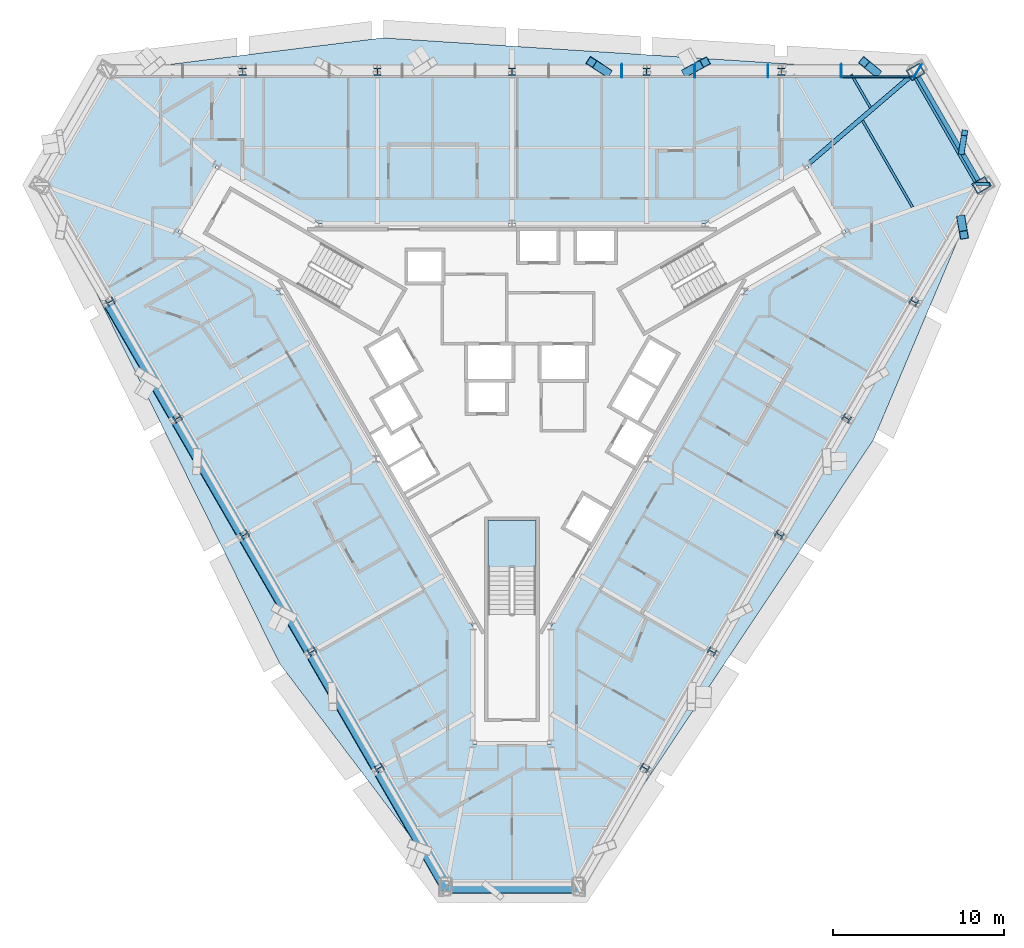
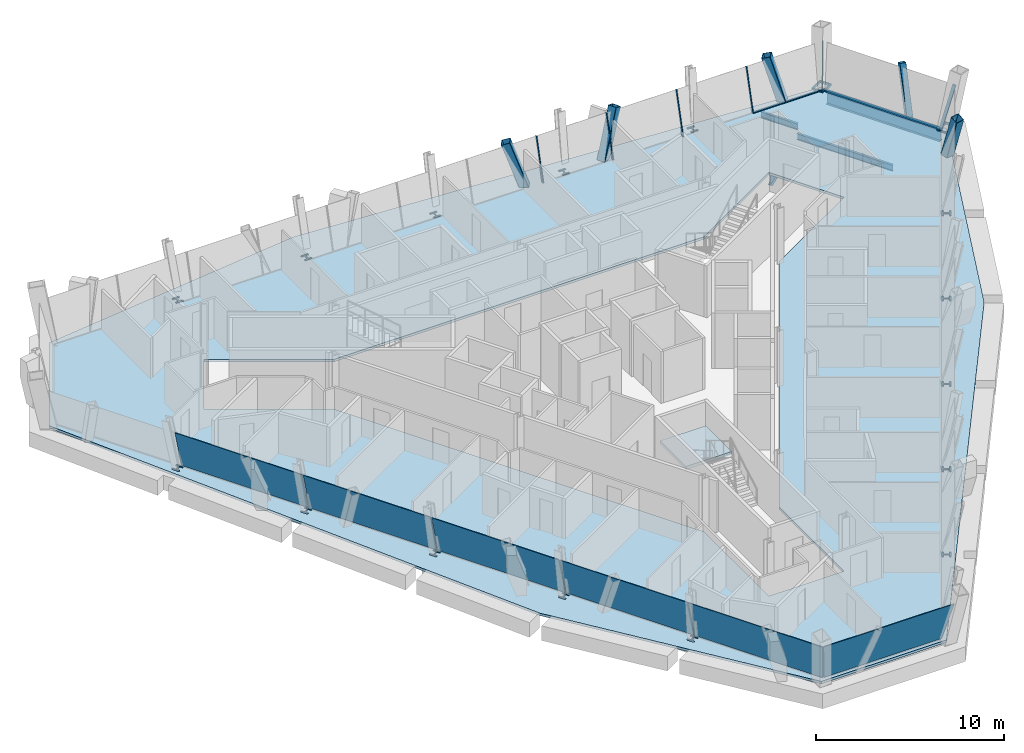
# One storey, part 5 of 13: 30 members, 6 plates, 4 beams, 2 slabs, 5 elements without a shape of their own.
"""IFC4 building model written with IfcOpenShell, lengths in metres."""

from ifc_helpers import new_model, si_unit, direction, frame, origin, origin_2d, place, context, subcontext, project, spatial, polyline, rectangle, hollow_rectangle, i_section, outline, extrude, material, layer, layer_set, material_profile, profile_set, type_object, element, aggregate, save


model = new_model("IFC4")

# Units and contexts
model_context = context("Model", 3, precision=1e-05, world=origin(), true_north=direction((0.0, 1.0)))
body_context = subcontext(model_context, "Body", "Model", "MODEL_VIEW")
ifc_project = project(units=[si_unit("LENGTHUNIT", "METRE"), si_unit("AREAUNIT", "SQUARE_METRE"), si_unit("VOLUMEUNIT", "CUBIC_METRE"), si_unit("PLANEANGLEUNIT", "RADIAN"), si_unit("MASSUNIT", "GRAM", prefix="KILO")], contexts=[model_context])

# Site, building, storey
site_placement = place(None, origin())
site = spatial("IfcSite", under=ifc_project, at=site_placement, CompositionType="ELEMENT")
building_placement = place(site_placement, origin())
building = spatial("IfcBuilding", under=site, at=building_placement, Name="Verrane Prism Tower", CompositionType="ELEMENT")
storey_placement = place(building_placement, frame((0.0, 0.0, 100.0)))
storey = spatial("IfcBuildingStorey", under=building, at=storey_placement, Name="L23", CompositionType="ELEMENT", Elevation=100.0)

# Member
ifc_material_1 = material(Name="Steel A500 Grade C", Category="steel")
ifc_material_profile_1 = material_profile(ifc_material_1, hollow_rectangle(XDim=0.355712890625, YDim=0.355712890625, WallThickness=0.0126953125, InnerFilletRadius=0.00634765625, OuterFilletRadius=0.01904296875, at=origin_2d()), Name="HSS14x14x1/2")
ifc_profile_set_1 = profile_set([ifc_material_profile_1], Name="Steel A500 Grade C")
member_type_1 = type_object("IfcMemberType", Name="Chamfer brace HSS14x14x1/2", PredefinedType="BRACE", material=ifc_profile_set_1)
member_1_placement = place(storey_placement, frame((26.35986328125, 13.42138671875, -0.2451171875), z_axis=(0.054955055745, 0.34337382265, 0.937589654255), x_axis=(-0.987433792109, 0.158033243976, 0.0)))
element("IfcMember", 1, at=member_1_placement, inside=storey, type_object=member_type_1, Name="Chamfer brace NE0 L23", PredefinedType="BRACE", context=body_context, shape_type="SweptSolid", body=[
    extrude(hollow_rectangle(XDim=0.355712890625, YDim=0.355712890625, WallThickness=0.0126953125, InnerFilletRadius=0.00634765625, OuterFilletRadius=0.01904296875, at=origin_2d()), origin(), (0.0, 0.0, 1.0), 3.203125),
])

# Beams
ifc_material_2 = material(Name="Steel A992", Category="steel")
ifc_material_profile_2 = material_profile(ifc_material_2, i_section(OverallWidth=0.2666015625, OverallDepth=0.76708984375, WebThickness=0.014892578125, FlangeThickness=0.023681640625, FilletRadius=0.0166015625, at=origin_2d()), Name="W30x124")
ifc_profile_set_2 = profile_set([ifc_material_profile_2], Name="Steel A992")
beam_type_1 = type_object("IfcBeamType", Name="Chamfer spandrel beam W30x124", PredefinedType="SPANDREL", material=ifc_profile_set_2)
beam_1_placement = place(storey_placement, frame((27.32470703125, 11.7529296875, -0.54345703125), z_axis=(-0.500609590055, 0.865673170628, 0.0), x_axis=(-0.865673170628, -0.500609590055, 0.0)))
element("IfcBeam", 2, at=beam_1_placement, inside=storey, type_object=beam_type_1, Name="Chamfer spandrel beam L23", PredefinedType="SPANDREL", context=body_context, shape_type="SweptSolid", body=[
    extrude(i_section(OverallWidth=0.2666015625, OverallDepth=0.76708984375, WebThickness=0.014892578125, FlangeThickness=0.023681640625, FilletRadius=0.0166015625, at=origin_2d()), origin(), (0.0, 0.0, 1.0), 6.970458984375),
])
ifc_material_3 = material(Name="Steel A992", Category="steel")
ifc_material_profile_3 = material_profile(ifc_material_3, i_section(OverallWidth=0.2666015625, OverallDepth=0.76708984375, WebThickness=0.014892578125, FlangeThickness=0.023681640625, FilletRadius=0.0166015625, at=origin_2d()), Name="W30x124")
ifc_profile_set_3 = profile_set([ifc_material_profile_3], Name="Steel A992")
beam_type_2 = type_object("IfcBeamType", Name="Corner girder W30x124", PredefinedType="BEAM", material=ifc_profile_set_3)
beam_2_placement = place(storey_placement, frame((23.3125, 17.7919921875, -0.603515625), z_axis=(-0.759350631669, -0.65068165656, 0.0), x_axis=(0.65068165656, -0.759350631669, 0.0)))
element("IfcBeam", 3, at=beam_2_placement, inside=storey, type_object=beam_type_2, Name="Corner girder L23", PredefinedType="BEAM", context=body_context, shape_type="SweptSolid", body=[
    extrude(i_section(OverallWidth=0.2666015625, OverallDepth=0.76708984375, WebThickness=0.014892578125, FlangeThickness=0.023681640625, FilletRadius=0.0166015625, at=origin_2d()), origin(), (0.0, 0.0, 1.0), 7.697021484375),
])

# Members
ifc_material_4 = material(Name="Steel A1085 Grade A", Category="steel")
ifc_material_profile_4 = material_profile(ifc_material_4, hollow_rectangle(XDim=0.508056640625, YDim=0.508056640625, WallThickness=0.025390625, InnerFilletRadius=0.0126953125, OuterFilletRadius=0.0380859375, at=origin_2d()), Name="HSS20x20x1")
ifc_profile_set_4 = profile_set([ifc_material_profile_4], Name="Steel A1085 Grade A")
member_type_2 = type_object("IfcMemberType", Name="Facade brace HSS20x20x1", PredefinedType="BRACE", material=ifc_profile_set_4)
member_2_placement = place(storey_placement, frame((21.339599609375, 18.090087890625, -0.24267578125), z_axis=(-0.22293136948, 0.18494759259, 0.957129036493), x_axis=(-0.638494749561, -0.769626178598, 0.0)))
element("IfcMember", 4, at=member_2_placement, inside=storey, type_object=member_type_2, Name="Facade brace N0 L23", PredefinedType="BRACE", context=body_context, shape_type="SweptSolid", body=[
    extrude(hollow_rectangle(XDim=0.508056640625, YDim=0.508056640625, WallThickness=0.025390625, InnerFilletRadius=0.0126953125, OuterFilletRadius=0.0380859375, at=origin_2d()), origin(), (0.0, 0.0, 1.0), 3.14306640625),
])
member_3_placement = place(storey_placement, frame((10.24951171875, 18.090087890625, -0.24267578125), z_axis=(0.329916361987, 0.179099602802, 0.926864891108), x_axis=(-0.477096284825, 0.87885103118, 0.0)))
element("IfcMember", 5, at=member_3_placement, inside=storey, type_object=member_type_2, Name="Facade brace N1 L23", PredefinedType="BRACE", context=body_context, shape_type="SweptSolid", body=[
    extrude(hollow_rectangle(XDim=0.508056640625, YDim=0.508056640625, WallThickness=0.025390625, InnerFilletRadius=0.0126953125, OuterFilletRadius=0.0380859375, at=origin_2d()), origin(), (0.0, 0.0, 1.0), 3.24560546875),
])
member_4_placement = place(storey_placement, frame((5.548095703125, 18.090087890625, -0.24267578125), z_axis=(-0.278984551116, 0.182189307791, 0.942854536164), x_axis=(-0.546779044707, -0.837276941202, 0.0)))
element("IfcMember", 6, at=member_4_placement, inside=storey, type_object=member_type_2, Name="Facade brace N2 L23", PredefinedType="BRACE", context=body_context, shape_type="SweptSolid", body=[
    extrude(hollow_rectangle(XDim=0.508056640625, YDim=0.508056640625, WallThickness=0.025390625, InnerFilletRadius=0.0126953125, OuterFilletRadius=0.0380859375, at=origin_2d()), origin(), (0.0, 0.0, 1.0), 3.190673828125),
])
member_5_placement = place(storey_placement, frame((26.3369140625, 9.43896484375, -0.24267578125), z_axis=(0.049625250197, -0.286024720616, 0.956936358249), x_axis=(0.985280396607, 0.170946015051, 0.0)))
element("IfcMember", 7, at=member_5_placement, inside=storey, type_object=member_type_2, Name="Facade brace SE5 L23", PredefinedType="BRACE", context=body_context, shape_type="SweptSolid", body=[
    extrude(hollow_rectangle(XDim=0.508056640625, YDim=0.508056640625, WallThickness=0.025390625, InnerFilletRadius=0.0126953125, OuterFilletRadius=0.0380859375, at=origin_2d()), origin(), (0.0, 0.0, 1.0), 3.143798828125),
])

# Beams
ifc_material_5 = material(Name="Steel A992", Category="steel")
ifc_material_profile_5 = material_profile(ifc_material_5, i_section(OverallWidth=0.140380859375, OverallDepth=0.40380859375, WebThickness=0.007080078125, FlangeThickness=0.01123046875, FilletRadius=0.01025390625, at=origin_2d()), Name="W16x31")
ifc_profile_set_5 = profile_set([ifc_material_profile_5], Name="Steel A992")
beam_type_3 = type_object("IfcBeamType", Name="Floor beam W16x31", PredefinedType="BEAM", material=ifc_profile_set_5)
beam_3_placement = place(storey_placement, frame((21.019775390625, 16.00341796875, -0.36181640625), z_axis=(-0.500016062875, 0.866016129681, 0.0), x_axis=(-0.866016129681, -0.500016062875, 0.0)))
element("IfcBeam", 8, at=beam_3_placement, inside=storey, type_object=beam_type_3, Name="Floor beam L23", PredefinedType="BEAM", context=body_context, shape_type="SweptSolid", body=[
    extrude(i_section(OverallWidth=0.140380859375, OverallDepth=0.40380859375, WebThickness=0.007080078125, FlangeThickness=0.01123046875, FilletRadius=0.01025390625, at=origin_2d()), origin(), (0.0, 0.0, 1.0), 2.25537109375),
])
beam_4_placement = place(storey_placement, frame((23.481201171875, 10.17236328125, -0.36181640625), z_axis=(-0.500000035988, 0.866025383007, 0.0), x_axis=(-0.866025383007, -0.500000035988, 0.0)))
element("IfcBeam", 9, at=beam_4_placement, inside=storey, type_object=beam_type_3, Name="Floor beam L23", PredefinedType="BEAM", context=body_context, shape_type="SweptSolid", body=[
    extrude(i_section(OverallWidth=0.140380859375, OverallDepth=0.40380859375, WebThickness=0.007080078125, FlangeThickness=0.01123046875, FilletRadius=0.01025390625, at=origin_2d()), origin(), (0.0, 0.0, 1.0), 5.8623046875),
])

# Members
ifc_material_6 = material(Name="Steel A572 Grade 50", Category="steel")
ifc_material_profile_6 = material_profile(ifc_material_6, hollow_rectangle(XDim=0.699951171875, YDim=0.89990234375, WallThickness=0.06494140625, at=origin_2d()), Name="BOX 900x700x65")
ifc_profile_set_6 = profile_set([ifc_material_profile_6], Name="Steel A572 Grade 50")
member_type_3 = type_object("IfcMemberType", Name="Kink node BOX 900x700x65", PredefinedType="COLLAR", material=ifc_profile_set_6)
for number, where, z_axis, x_axis, name in (
    (10, (27.50830078125, 11.449951171875, -0.074951171875), (0.0, 0.0, 1.0), (0.5, -0.866025403784, 0.0), "Kink node MC3 L23"),
    (11, (23.664306640625, 18.097412109375, -0.074951171875), (0.0, 0.0, 1.0), (0.5, -0.866025403784, 0.0), "Kink node MC3 L23"),
):
    element("IfcMember", number, at=place(storey_placement, frame(where, z_axis=z_axis, x_axis=x_axis)), inside=storey, type_object=member_type_3, Name=name, PredefinedType="COLLAR", context=body_context, shape_type="SweptSolid", body=[
        extrude(hollow_rectangle(XDim=0.699951171875, YDim=0.89990234375, WallThickness=0.06494140625, at=origin_2d()), origin(), (0.0, 0.0, 1.0), 0.14990234375),
    ])
ifc_material_7 = material(Name="Steel A992", Category="steel")
ifc_material_profile_7 = material_profile(ifc_material_7, i_section(OverallWidth=0.424072265625, OverallDepth=0.47509765625, WebThickness=0.0478515625, FlangeThickness=0.0771484375, FilletRadius=0.014892578125, at=origin_2d()), Name="W14x426")
ifc_profile_set_7 = profile_set([ifc_material_profile_7], Name="Steel A992")
member_type_4 = type_object("IfcMemberType", Name="Kink node W14x426", PredefinedType="COLLAR", material=ifc_profile_set_7)
member_6_placement = place(storey_placement, frame((15.781494140625, 18.09423828125, -0.044921875), z_axis=(0.0, 0.0, 1.0), x_axis=(1.0, 0.0, 0.0)))
element("IfcMember", 12, at=member_6_placement, inside=storey, type_object=member_type_4, Name="Kink node PC4 L23", PredefinedType="COLLAR", context=body_context, shape_type="SweptSolid", body=[
    extrude(i_section(OverallWidth=0.424072265625, OverallDepth=0.47509765625, WebThickness=0.0478515625, FlangeThickness=0.0771484375, FilletRadius=0.014892578125, at=origin_2d()), origin(), (0.0, 0.0, 1.0), 0.08984375),
])
member_7_placement = place(storey_placement, frame((7.890625, 18.093994140625, -0.0400390625), z_axis=(0.0, 0.0, 1.0), x_axis=(1.0, 0.0, 0.0)))
element("IfcMember", 13, at=member_7_placement, inside=storey, type_object=member_type_4, Name="Kink node PC4 L23", PredefinedType="COLLAR", context=body_context, shape_type="SweptSolid", body=[
    extrude(i_section(OverallWidth=0.424072265625, OverallDepth=0.47509765625, WebThickness=0.0478515625, FlangeThickness=0.0771484375, FilletRadius=0.014892578125, at=origin_2d()), origin(), (0.0, 0.0, 1.0), 0.080078125),
])
member_8_placement = place(storey_placement, frame((0.0, 18.093505859375, -0.034912109375), z_axis=(0.0, 0.0, 1.0), x_axis=(1.0, 0.0, 0.0)))
element("IfcMember", 14, at=member_8_placement, inside=storey, type_object=member_type_4, Name="Kink node PC4 L23", PredefinedType="COLLAR", context=body_context, shape_type="SweptSolid", body=[
    extrude(i_section(OverallWidth=0.424072265625, OverallDepth=0.47509765625, WebThickness=0.0478515625, FlangeThickness=0.0771484375, FilletRadius=0.014892578125, at=origin_2d()), origin(), (0.0, 0.0, 1.0), 0.06982421875),
])
member_9_placement = place(storey_placement, frame((-7.890625, 18.093994140625, -0.0400390625), z_axis=(0.0, 0.0, 1.0), x_axis=(1.0, 0.0, 0.0)))
element("IfcMember", 15, at=member_9_placement, inside=storey, type_object=member_type_4, Name="Kink node PC4 L23", PredefinedType="COLLAR", context=body_context, shape_type="SweptSolid", body=[
    extrude(i_section(OverallWidth=0.424072265625, OverallDepth=0.47509765625, WebThickness=0.0478515625, FlangeThickness=0.0771484375, FilletRadius=0.014892578125, at=origin_2d()), origin(), (0.0, 0.0, 1.0), 0.080078125),
])
for number, where, z_axis, x_axis, name in (
    (16, (-15.781494140625, 18.09423828125, -0.044921875), (0.0, 0.0, 1.0), (1.0, 0.0, 0.0), "Kink node PC4 L23"),
    (17, (7.782958984375, -22.713623046875, -0.044921875), (0.0, 0.0, 1.0), (-0.5, -0.866025403784, 0.0), "Kink node PC4 L23"),
):
    element("IfcMember", number, at=place(storey_placement, frame(where, z_axis=z_axis, x_axis=x_axis)), inside=storey, type_object=member_type_4, Name=name, PredefinedType="COLLAR", context=body_context, shape_type="SweptSolid", body=[
        extrude(i_section(OverallWidth=0.424072265625, OverallDepth=0.47509765625, WebThickness=0.0478515625, FlangeThickness=0.0771484375, FilletRadius=0.014892578125, at=origin_2d()), origin(), (0.0, 0.0, 1.0), 0.08984375),
    ])
member_10_placement = place(storey_placement, frame((11.722900390625, -15.882568359375, -0.0400390625), z_axis=(0.0, 0.0, 1.0), x_axis=(-0.5, -0.866025403784, 0.0)))
element("IfcMember", 18, at=member_10_placement, inside=storey, type_object=member_type_4, Name="Kink node PC4 L23", PredefinedType="COLLAR", context=body_context, shape_type="SweptSolid", body=[
    extrude(i_section(OverallWidth=0.424072265625, OverallDepth=0.47509765625, WebThickness=0.0478515625, FlangeThickness=0.0771484375, FilletRadius=0.014892578125, at=origin_2d()), origin(), (0.0, 0.0, 1.0), 0.080078125),
])
member_11_placement = place(storey_placement, frame((15.6728515625, -9.041748046875, -0.034912109375), z_axis=(0.0, 0.0, 1.0), x_axis=(-0.5, -0.866025403784, 0.0)))
element("IfcMember", 19, at=member_11_placement, inside=storey, type_object=member_type_4, Name="Kink node PC4 L23", PredefinedType="COLLAR", context=body_context, shape_type="SweptSolid", body=[
    extrude(i_section(OverallWidth=0.424072265625, OverallDepth=0.47509765625, WebThickness=0.0478515625, FlangeThickness=0.0771484375, FilletRadius=0.014892578125, at=origin_2d()), origin(), (0.0, 0.0, 1.0), 0.06982421875),
])
member_12_placement = place(storey_placement, frame((19.61376953125, -2.211181640625, -0.0400390625), z_axis=(0.0, 0.0, 1.0), x_axis=(-0.5, -0.866025403784, 0.0)))
element("IfcMember", 20, at=member_12_placement, inside=storey, type_object=member_type_4, Name="Kink node PC4 L23", PredefinedType="COLLAR", context=body_context, shape_type="SweptSolid", body=[
    extrude(i_section(OverallWidth=0.424072265625, OverallDepth=0.47509765625, WebThickness=0.0478515625, FlangeThickness=0.0771484375, FilletRadius=0.014892578125, at=origin_2d()), origin(), (0.0, 0.0, 1.0), 0.080078125),
])
for number, where, z_axis, x_axis, name in (
    (21, (23.5546875, 4.619384765625, -0.044921875), (0.0, 0.0, 1.0), (-0.5, -0.866025403784, 0.0), "Kink node PC4 L23"),
    (22, (-23.5546875, 4.619384765625, -0.044921875), (0.0, 0.0, 1.0), (-0.5, 0.866025403784, 0.0), "Kink node PC4 L23"),
):
    element("IfcMember", number, at=place(storey_placement, frame(where, z_axis=z_axis, x_axis=x_axis)), inside=storey, type_object=member_type_4, Name=name, PredefinedType="COLLAR", context=body_context, shape_type="SweptSolid", body=[
        extrude(i_section(OverallWidth=0.424072265625, OverallDepth=0.47509765625, WebThickness=0.0478515625, FlangeThickness=0.0771484375, FilletRadius=0.014892578125, at=origin_2d()), origin(), (0.0, 0.0, 1.0), 0.08984375),
    ])
member_13_placement = place(storey_placement, frame((-19.61376953125, -2.211181640625, -0.0400390625), z_axis=(0.0, 0.0, 1.0), x_axis=(-0.5, 0.866025403784, 0.0)))
element("IfcMember", 23, at=member_13_placement, inside=storey, type_object=member_type_4, Name="Kink node PC4 L23", PredefinedType="COLLAR", context=body_context, shape_type="SweptSolid", body=[
    extrude(i_section(OverallWidth=0.424072265625, OverallDepth=0.47509765625, WebThickness=0.0478515625, FlangeThickness=0.0771484375, FilletRadius=0.014892578125, at=origin_2d()), origin(), (0.0, 0.0, 1.0), 0.080078125),
])
member_14_placement = place(storey_placement, frame((-15.6728515625, -9.041748046875, -0.034912109375), z_axis=(0.0, 0.0, 1.0), x_axis=(-0.5, 0.866025403784, 0.0)))
element("IfcMember", 24, at=member_14_placement, inside=storey, type_object=member_type_4, Name="Kink node PC4 L23", PredefinedType="COLLAR", context=body_context, shape_type="SweptSolid", body=[
    extrude(i_section(OverallWidth=0.424072265625, OverallDepth=0.47509765625, WebThickness=0.0478515625, FlangeThickness=0.0771484375, FilletRadius=0.014892578125, at=origin_2d()), origin(), (0.0, 0.0, 1.0), 0.06982421875),
])
member_15_placement = place(storey_placement, frame((-11.722900390625, -15.882568359375, -0.0400390625), z_axis=(0.0, 0.0, 1.0), x_axis=(-0.5, 0.866025403784, 0.0)))
element("IfcMember", 25, at=member_15_placement, inside=storey, type_object=member_type_4, Name="Kink node PC4 L23", PredefinedType="COLLAR", context=body_context, shape_type="SweptSolid", body=[
    extrude(i_section(OverallWidth=0.424072265625, OverallDepth=0.47509765625, WebThickness=0.0478515625, FlangeThickness=0.0771484375, FilletRadius=0.014892578125, at=origin_2d()), origin(), (0.0, 0.0, 1.0), 0.080078125),
])
member_16_placement = place(storey_placement, frame((-7.782958984375, -22.713623046875, -0.044921875), z_axis=(0.0, 0.0, 1.0), x_axis=(-0.5, 0.866025403784, 0.0)))
element("IfcMember", 26, at=member_16_placement, inside=storey, type_object=member_type_4, Name="Kink node PC4 L23", PredefinedType="COLLAR", context=body_context, shape_type="SweptSolid", body=[
    extrude(i_section(OverallWidth=0.424072265625, OverallDepth=0.47509765625, WebThickness=0.0478515625, FlangeThickness=0.0771484375, FilletRadius=0.014892578125, at=origin_2d()), origin(), (0.0, 0.0, 1.0), 0.08984375),
])

# Curtain wall, members
ifc_material_8 = material(Name="Aluminium framed insulated glazing", Category="aluminium")
curtain_wall_type_1 = type_object("IfcCurtainWallType", Name="Curtain wall CW-C 4200 module", PredefinedType="NOTDEFINED", material=ifc_material_8)
curtain_wall_1_placement = place(storey_placement, origin())
curtain_wall_1 = element("IfcCurtainWall", 27, at=curtain_wall_1_placement, inside=storey, type_object=curtain_wall_type_1, Name="Glazed curtain wall north face L23", PredefinedType="NOTDEFINED")
ifc_material_9 = material(Name="Aluminium alloy 6063-T6", Category="aluminium")
ifc_material_profile_8 = material_profile(ifc_material_9, rectangle(XDim=0.139892578125, YDim=0.050048828125, at=origin_2d()), Name="Mullion 50x140 aluminium")
ifc_profile_set_8 = profile_set([ifc_material_profile_8], Name="Aluminium alloy 6063-T6")
member_type_5 = type_object("IfcMemberType", Name="Mullion 50x140 aluminium", PredefinedType="MULLION", material=ifc_profile_set_8)
member_17_placement = place(storey_placement, frame((23.564697265625, 17.81103515625, 0.0), z_axis=(0.156799668785, 0.255568306087, 0.953990935383), x_axis=(0.498891856341, 0.813145510022, -0.299835446883)))
member_17 = element("IfcMember", 28, at=member_17_placement, type_object=member_type_5, Name="CW21.2 mullion 1", PredefinedType="MULLION", context=body_context, shape_type="SweptSolid", body=[
    extrude(rectangle(XDim=0.139892578125, YDim=0.050048828125, at=origin_2d()), origin(), (0.0, 0.0, 1.0), 2.73876953125),
])
member_18_placement = place(storey_placement, frame((19.30078125, 17.81103515625, 0.0), z_axis=(0.0, 0.25876916976, 0.965939188967), x_axis=(0.0, 0.965939188967, -0.25876916976)))
member_18 = element("IfcMember", 29, at=member_18_placement, type_object=member_type_5, Name="CW21.2 mullion 2", PredefinedType="MULLION", context=body_context, shape_type="SweptSolid", body=[
    extrude(rectangle(XDim=0.139892578125, YDim=0.050048828125, at=origin_2d()), origin(), (0.0, 0.0, 1.0), 2.704833984375),
])
member_19_placement = place(storey_placement, frame((15.01171875, 17.81103515625, 0.0), z_axis=(0.0, 0.25876916976, 0.965939188967), x_axis=(0.0, 0.965939188967, -0.25876916976)))
member_19 = element("IfcMember", 30, at=member_19_placement, type_object=member_type_5, Name="CW21.2 mullion 3", PredefinedType="MULLION", context=body_context, shape_type="SweptSolid", body=[
    extrude(rectangle(XDim=0.139892578125, YDim=0.050048828125, at=origin_2d()), origin(), (0.0, 0.0, 1.0), 2.704833984375),
])
member_20_placement = place(storey_placement, frame((10.72265625, 17.81103515625, 0.0), z_axis=(0.0, 0.25876916976, 0.965939188967), x_axis=(0.0, 0.965939188967, -0.25876916976)))
member_20 = element("IfcMember", 31, at=member_20_placement, type_object=member_type_5, Name="CW21.2 mullion 4", PredefinedType="MULLION", context=body_context, shape_type="SweptSolid", body=[
    extrude(rectangle(XDim=0.139892578125, YDim=0.050048828125, at=origin_2d()), origin(), (0.0, 0.0, 1.0), 2.704833984375),
])
member_21_placement = place(storey_placement, frame((6.43359375, 17.81103515625, 0.0), z_axis=(0.0, 0.25876916976, 0.965939188967), x_axis=(0.0, 0.965939188967, -0.25876916976)))
member_21 = element("IfcMember", 32, at=member_21_placement, type_object=member_type_5, Name="CW21.2 mullion 5", PredefinedType="MULLION", context=body_context, shape_type="SweptSolid", body=[
    extrude(rectangle(XDim=0.139892578125, YDim=0.050048828125, at=origin_2d()), origin(), (0.0, 0.0, 1.0), 2.704833984375),
])

# Curtain wall, member
ifc_material_10 = material(Name="Aluminium framed insulated glazing", Category="aluminium")
curtain_wall_type_2 = type_object("IfcCurtainWallType", Name="Curtain wall CW-A 8400 module", PredefinedType="NOTDEFINED", material=ifc_material_10)
curtain_wall_2_placement = place(storey_placement, origin())
curtain_wall_2 = element("IfcCurtainWall", 33, at=curtain_wall_2_placement, inside=storey, type_object=curtain_wall_type_2, Name="Glazed curtain wall north-east corner L23", PredefinedType="NOTDEFINED")
ifc_material_11 = material(Name="Aluminium alloy 6063-T6", Category="aluminium")
ifc_material_profile_9 = material_profile(ifc_material_11, rectangle(XDim=0.199951171875, YDim=0.070068359375, at=origin_2d()), Name="Mullion 70x200 aluminium")
ifc_profile_set_9 = profile_set([ifc_material_profile_9], Name="Aluminium alloy 6063-T6")
member_type_6 = type_object("IfcMemberType", Name="Mullion 70x200 aluminium", PredefinedType="MULLION", material=ifc_profile_set_9)
member_22_placement = place(storey_placement, frame((27.2021484375, 11.55419921875, 0.0), z_axis=(0.30139012254, -0.01104711061, 0.953436917359), x_axis=(0.444675002966, -0.882907009081, -0.150795739503)))
member_22 = element("IfcMember", 34, at=member_22_placement, type_object=member_type_6, Name="CW21.1 mullion 1", PredefinedType="MULLION", context=body_context, shape_type="SweptSolid", body=[
    extrude(rectangle(XDim=0.199951171875, YDim=0.070068359375, at=origin_2d()), origin(), (0.0, 0.0, 1.0), 2.740478515625),
])

# Member
ifc_material_12 = material(Name="Aluminium alloy 6063-T6", Category="aluminium")
ifc_material_profile_10 = material_profile(ifc_material_12, rectangle(XDim=0.10009765625, YDim=0.050048828125, at=origin_2d()), Name="Transom 50x100 aluminium")
ifc_profile_set_10 = profile_set([ifc_material_profile_10], Name="Aluminium alloy 6063-T6")
member_type_7 = type_object("IfcMemberType", Name="Transom 50x100 aluminium", PredefinedType="USERDEFINED", material=ifc_profile_set_10)
member_23_placement = place(storey_placement, frame((23.539794921875, 17.81103515625, 0.02490234375), z_axis=(-1.0, 0.0, 0.0), x_axis=(0.0, -1.0, 0.0)))
member_23 = element("IfcMember", 35, at=member_23_placement, type_object=member_type_7, Name="CW21.2 transom 1", ObjectType="TRANSOM", PredefinedType="USERDEFINED", context=body_context, shape_type="SweptSolid", body=[
    extrude(rectangle(XDim=0.10009765625, YDim=0.050048828125, at=origin_2d()), origin(), (0.0, 0.0, 1.0), 4.214111328125),
])

aggregate(curtain_wall_1, [member_17, member_18, member_19, member_20, member_21, member_23])

ifc_material_13 = material(Name="Aluminium alloy 6063-T6", Category="aluminium")
ifc_material_profile_11 = material_profile(ifc_material_13, rectangle(XDim=0.14990234375, YDim=0.070068359375, at=origin_2d()), Name="Transom 70x150 aluminium")
ifc_profile_set_11 = profile_set([ifc_material_profile_11], Name="Aluminium alloy 6063-T6")
member_type_8 = type_object("IfcMemberType", Name="Transom 70x150 aluminium", PredefinedType="USERDEFINED", material=ifc_profile_set_11)
member_24_placement = place(storey_placement, frame((27.1845703125, 11.58447265625, 0.034912109375), z_axis=(-0.500006589238, 0.866021599452, 0.0), x_axis=(-0.866021599452, -0.500006589238, 0.0)))
member_24 = element("IfcMember", 36, at=member_24_placement, type_object=member_type_8, Name="CW21.1 transom 1", ObjectType="TRANSOM", PredefinedType="USERDEFINED", context=body_context, shape_type="SweptSolid", body=[
    extrude(rectangle(XDim=0.14990234375, YDim=0.070068359375, at=origin_2d()), origin(), (0.0, 0.0, 1.0), 7.18994140625),
])

aggregate(curtain_wall_2, [member_22, member_24])

# Slab
ifc_material_14 = material(Name="Concrete C35/45", Category="concrete")
ifc_layer_1 = layer(ifc_material_14, 0.159912109375)
ifc_layer_set_1 = layer_set([ifc_layer_1], Name="Composite floor slab")
slab_type_1 = type_object("IfcSlabType", Name="Composite floor slab", PredefinedType="FLOOR", material=ifc_layer_set_1)
slab_1_placement = place(storey_placement, frame((0.0, 0.0, -0.159912109375)))
element("IfcSlab", 37, at=slab_1_placement, inside=storey, type_object=slab_type_1, Name="Floor slab L23", PredefinedType="FLOOR", context=body_context, shape_type="SweptSolid", body=[
    extrude(outline(polyline([(21.1845703125, -3.4873046875), (3.8349609375, -29.53759765625), (-3.8349609375, -29.53759765625), (-13.6123046875, -16.6025390625), (-27.497802734375, 11.447509765625), (-23.662841796875, 18.090087890625), (-7.572021484375, 20.090087890625), (23.662841796875, 18.090087890625), (27.497802734375, 11.447509765625), (21.1845703125, -3.4873046875)]), holes=[polyline([(19.60009765625, 8.659912109375), (17.300048828125, 12.639892578125), (11.330078125, 9.199951171875), (0.0, 9.199951171875), (-11.330078125, 9.199951171875), (-17.300048828125, 12.639892578125), (-19.60009765625, 8.659912109375), (-13.6298828125, 5.219970703125), (-7.969970703125, -4.60009765625), (-2.300048828125, -14.419921875), (-2.300048828125, -21.300048828125), (2.300048828125, -21.300048828125), (2.300048828125, -14.419921875), (7.969970703125, -4.60009765625), (13.6298828125, 5.219970703125), (19.60009765625, 8.659912109375)])]), origin(), (0.0, 0.0, 1.0), 0.159912109375),
])

# Curtain wall, plates
curtain_wall_3_placement = place(storey_placement, origin())
curtain_wall_3 = element("IfcCurtainWall", 38, at=curtain_wall_3_placement, inside=storey, type_object=curtain_wall_type_2, Name="Glazed curtain wall south-west face L23", PredefinedType="NOTDEFINED")
ifc_material_15 = material(Name="Low-iron insulating glass unit", Category="glass")
ifc_layer_2 = layer(ifc_material_15, 0.031982421875)
ifc_layer_set_2 = layer_set([ifc_layer_2], Name="Glazing panel IGU 32")
plate_type = type_object("IfcPlateType", Name="Glazing panel IGU 32", PredefinedType="CURTAIN_PANEL", material=ifc_layer_set_2)
plate_1_placement = place(storey_placement, frame((-23.2705078125, 4.683837890625, 0.070068359375), z_axis=(0.834958426669, 0.482068057445, 0.26543325663), x_axis=(0.500003566721, -0.866023344527, 0.0)))
plate_1 = element("IfcPlate", 39, at=plate_1_placement, type_object=plate_type, Name="CW21.4 panel 2", PredefinedType="CURTAIN_PANEL", context=body_context, shape_type="SweptSolid", body=[
    extrude(outline(polyline([(0.0, 0.0), (7.79340143747352, 2.220446049250313e-16), (7.793491432562404, -2.6373275603755584), (8.999508888374308e-05, -2.637327560375559), (0.0, 0.0)])), origin(), (0.0, 0.0, -1.0), 0.031982421875),
])
plate_2_placement = place(storey_placement, frame((-19.3388671875, -2.1259765625, 0.070068359375), z_axis=(0.834957435643, 0.482061102627, 0.265449004516), x_axis=(0.499998951486, -0.866026009142, -1.467274e-06)))
plate_2 = element("IfcPlate", 40, at=plate_2_placement, type_object=plate_type, Name="CW21.4 panel 3", PredefinedType="CURTAIN_PANEL", context=body_context, shape_type="SweptSolid", body=[
    extrude(outline(polyline([(0.0, 0.0), (7.7934014373544604, -1.1102230246251565e-16), (7.7931579300175775, -2.637351280625713), (8.999485076974982e-05, -2.637327560023747), (0.0, 0.0)])), origin(), (0.0, 0.0, -1.0), 0.031982421875),
])
plate_3_placement = place(storey_placement, frame((-15.4072265625, -8.935791015625, 0.070068359375), z_axis=(0.834972858607, 0.482054905076, 0.265411744056), x_axis=(0.499986375975, -0.866033269474, 2.00404e-06)))
plate_3 = element("IfcPlate", 41, at=plate_3_placement, type_object=plate_type, Name="CW21.4 panel 4", PredefinedType="CURTAIN_PANEL", context=body_context, shape_type="SweptSolid", body=[
    extrude(outline(polyline([(0.0, 0.0), (7.793279368936145, -1.1102230246251565e-16), (7.793176921594495, -2.6372951613994404), (0.0001089865620304128, -2.6373275590026464), (0.0, 0.0)])), origin(), (0.0, 0.0, -1.0), 0.031982421875),
])
plate_4_placement = place(storey_placement, frame((-11.4755859375, -15.74560546875, 0.070068359375), z_axis=(0.834972858607, 0.482054905076, 0.265411744056), x_axis=(0.499987331538, -0.866032717799, -2.004095e-06)))
plate_4 = element("IfcPlate", 42, at=plate_4_placement, type_object=plate_type, Name="CW21.4 panel 5", PredefinedType="CURTAIN_PANEL", context=body_context, shape_type="SweptSolid", body=[
    extrude(outline(polyline([(0.0, 0.0), (7.793067935099807, 0.0), (7.793165957675319, -2.637327559432939), (-0.00011341119348321601, -2.637295160950753), (0.0, 0.0)])), origin(), (0.0, 0.0, -1.0), 0.031982421875),
])
plate_5_placement = place(storey_placement, frame((-7.5439453125, -22.555419921875, 0.070068359375), z_axis=(0.834967708797, 0.482065575078, 0.265408565406), x_axis=(0.499997872245, -0.866026632239, -1.700356e-06)))
plate_5 = element("IfcPlate", 43, at=plate_5_placement, type_object=plate_type, Name="CW21.4 panel 6", PredefinedType="CURTAIN_PANEL", context=body_context, shape_type="SweptSolid", body=[
    extrude(outline(polyline([(0.0, 0.0), (7.82807456343997, -1.1102230246251565e-16), (8.232432520833441, -2.63732348541122), (-0.00012115771446820704, -2.637295160785899), (0.0, 0.0)])), origin(), (0.0, 0.0, -1.0), 0.031982421875),
])
aggregate(curtain_wall_3, [plate_1, plate_2, plate_3, plate_4, plate_5])

# Curtain wall, plate
curtain_wall_4_placement = place(storey_placement, origin())
curtain_wall_4 = element("IfcCurtainWall", 44, at=curtain_wall_4_placement, inside=storey, type_object=curtain_wall_type_2, Name="Glazed curtain wall south corner L23", PredefinedType="NOTDEFINED")
plate_6_placement = place(storey_placement, frame((-3.559814453125, -29.334716796875, 0.070068359375), z_axis=(0.0, 0.964113626027, 0.265489954819), x_axis=(1.0, 0.0, 0.0)))
plate_6 = element("IfcPlate", 45, at=plate_6_placement, type_object=plate_type, Name="CW21.5 panel 1", PredefinedType="CURTAIN_PANEL", context=body_context, shape_type="SweptSolid", body=[
    extrude(outline(polyline([(0.0, 0.0), (7.189697265625, 0.0), (7.59375, -2.637370265011763), (-0.43896484375, -2.637370265011763), (0.0, 0.0)])), origin(), (0.0, 0.0, -1.0), 0.031982421875),
])
aggregate(curtain_wall_4, [plate_6])

# Stair, slab
ifc_material_16 = material(Name="Concrete C40/50", Category="concrete")
stair_type = type_object("IfcStairType", Name="Exit stair 1300 dog-leg precast concrete C40/50", PredefinedType="HALF_TURN_STAIR", material=ifc_material_16)
stair_placement = place(storey_placement, origin())
stair = element("IfcStair", 46, at=stair_placement, inside=storey, type_object=stair_type, Name="Stair 3 L23", PredefinedType="HALF_TURN_STAIR")
ifc_material_17 = material(Name="Concrete C40/50", Category="concrete")
ifc_layer_3 = layer(ifc_material_17, 0.199951171875)
ifc_layer_set_3 = layer_set([ifc_layer_3], Name="Stair landing 200 precast concrete C40/50")
slab_type_2 = type_object("IfcSlabType", Name="Stair landing 200 precast concrete C40/50", PredefinedType="LANDING", material=ifc_layer_set_3)
slab_2_placement = place(storey_placement, frame((0.0, 0.0, 1.60009765625)))
slab_2 = element("IfcSlab", 47, at=slab_2_placement, type_object=slab_type_2, Name="Stair 3 landing 1", PredefinedType="LANDING", context=body_context, shape_type="SweptSolid", body=[
    extrude(outline(polyline([(1.39990234375, -10.9599609375), (1.39990234375, -8.199951171875), (-1.39990234375, -8.199951171875), (-1.39990234375, -10.9599609375), (1.39990234375, -10.9599609375)])), origin(), (0.0, 0.0, 1.0), 0.199951171875),
])
aggregate(stair, [slab_2])

save(model, "model.ifc")
